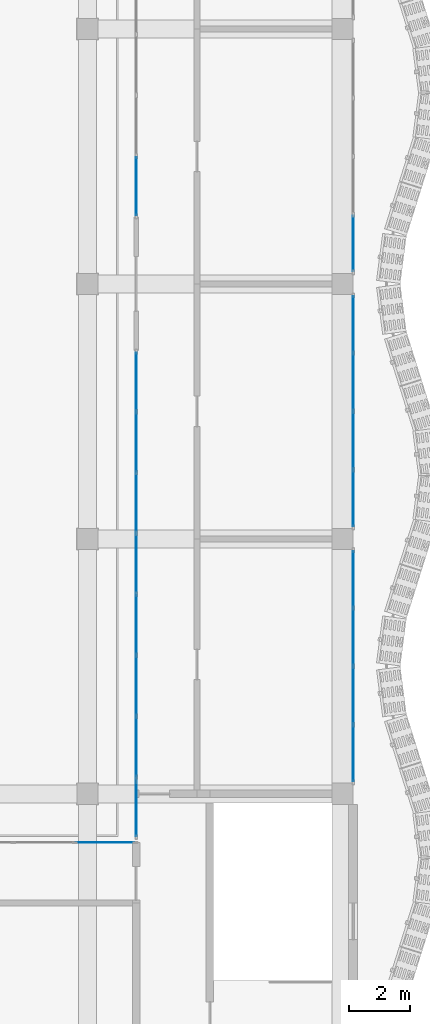
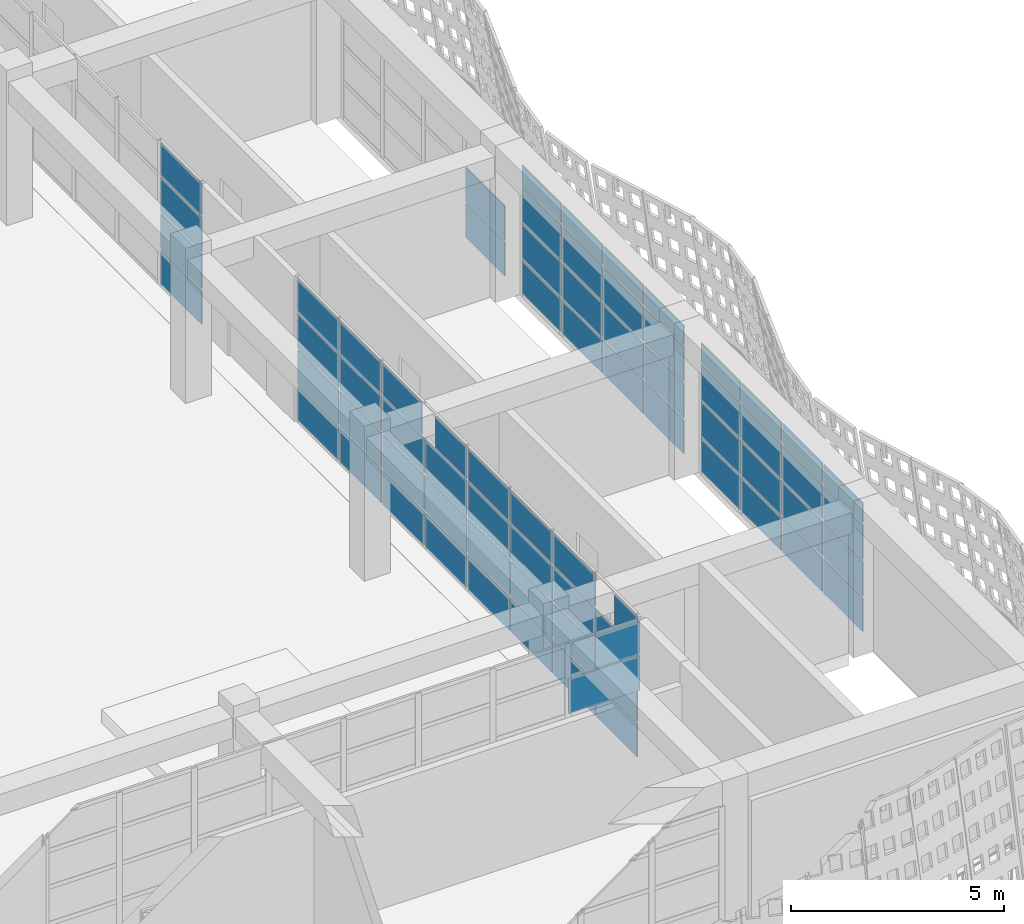
# One storey, part 30 of 85: 72 plates, 6 elements without a shape of their own.
"""IFC4 building model written with IfcOpenShell, lengths in metres."""

import ifcopenshell
import ifcopenshell.guid

model = None  # the IFC model being written
_history = None  # IfcOwnerHistory: only IFC2X3 demands one
_inside = {}  # id of a spatial element -> (the spatial element, [elements in it])
_under = {}  # id of a project, library or spatial element -> (it, [spatial elements below it])
_declared = {}  # id of a project -> (the project, [libraries it declares])
_typed = {}  # id of a type object -> (the type object, [elements of that type])
_made_of = {}  # id of a material, layer set ... -> (it, [elements and type objects made of it])


def new_model(schema):
    """Start an empty IFC model of exactly this schema.

    Asked for "IFC4X3", IfcOpenShell would pick the latest addendum, in which some entities
    have other attributes; the version numbers below select the first issue.
    IFC2X3 requires an IfcOwnerHistory on every rooted entity: one is made here for all.
    """
    global model, _history
    if schema == "IFC4X3":
        model = ifcopenshell.file(schema_version=(4, 3, 0, 0))
    else:
        model = ifcopenshell.file(schema=schema)
    _inside.clear()
    _under.clear()
    _declared.clear()
    _typed.clear()
    _made_of.clear()
    _history = None
    if model.schema == "IFC2X3":
        org = make("IfcOrganization", Name="unknown")
        user = make(
            "IfcPersonAndOrganization",
            ThePerson=make("IfcPerson", FamilyName="unknown"),
            TheOrganization=org,
        )
        app = make(
            "IfcApplication",
            ApplicationDeveloper=org,
            Version="unknown",
            ApplicationFullName="unknown",
            ApplicationIdentifier="unknown",
        )
        _history = make(
            "IfcOwnerHistory",
            OwningUser=user,
            OwningApplication=app,
            ChangeAction="ADDED",
            CreationDate=0,
        )
    return model


def make(cls, **values):
    """One entity of the class cls with the attributes given. An attribute that is None is left unset."""
    return model.create_entity(
        cls, **{name: value for name, value in values.items() if value is not None}
    )


def rooted(cls, **values):
    """An entity with a GlobalId (a new one), such as an element, a storey or a relation."""
    return make(cls, GlobalId=ifcopenshell.guid.new(), OwnerHistory=_history, **values)


def si_unit(unit_type, name, prefix=None):
    """IfcSIUnit, for example si_unit("LENGTHUNIT", "METRE", prefix="MILLI")."""
    return make("IfcSIUnit", UnitType=unit_type, Prefix=prefix, Name=name)


def assignment(units):
    """IfcUnitAssignment: the units of a project."""
    return None if units is None else make("IfcUnitAssignment", Units=units)


def point(xyz):
    """IfcCartesianPoint."""
    return None if xyz is None else make("IfcCartesianPoint", Coordinates=xyz)


def direction(xyz):
    """IfcDirection."""
    return None if xyz is None else make("IfcDirection", DirectionRatios=xyz)


def frame(location, z_axis=None, x_axis=None):
    """IfcAxis2Placement3D, a coordinate frame: its origin and axes. An axis left out is left unset."""
    return make(
        "IfcAxis2Placement3D",
        Location=point(location),
        Axis=direction(z_axis),
        RefDirection=direction(x_axis),
    )


def frame_2d(location, x_axis=None):
    """IfcAxis2Placement2D, a coordinate frame in the plane: its origin and x axis."""
    return make(
        "IfcAxis2Placement2D", Location=point(location), RefDirection=direction(x_axis)
    )


def origin():
    """The frame at (0, 0, 0) with its axes left unset."""
    return frame((0.0, 0.0, 0.0))


def origin_2d():
    """The frame at (0, 0) in the plane with its x axis left unset."""
    return frame_2d((0.0, 0.0))


def place(relative_to, where):
    """IfcLocalPlacement: puts the frame where relative to a parent placement (None: the world)."""
    return make(
        "IfcLocalPlacement", PlacementRelTo=relative_to, RelativePlacement=where
    )


def context(
    kind, dimensions, precision=None, world=None, true_north=None, identifier=None
):
    """IfcGeometricRepresentationContext, for example the 3D "Model" context."""
    return make(
        "IfcGeometricRepresentationContext",
        ContextIdentifier=identifier,
        ContextType=kind,
        CoordinateSpaceDimension=dimensions,
        Precision=precision,
        WorldCoordinateSystem=world,
        TrueNorth=true_north,
    )


def subcontext(parent, identifier, kind, view, scale=None):
    """IfcGeometricRepresentationSubContext, for example "Body" below "Model"."""
    return make(
        "IfcGeometricRepresentationSubContext",
        ContextIdentifier=identifier,
        ContextType=kind,
        ParentContext=parent,
        TargetScale=scale,
        TargetView=view,
    )


def project(units=None, contexts=None):
    """IfcProject with its units and contexts."""
    return rooted(
        "IfcProject",
        Name="project",
        RepresentationContexts=contexts,
        UnitsInContext=assignment(units),
    )


def spatial(cls, under=None, at=None, **own):
    """A site, building, storey or space (cls), placed at a placement, below another one or the project."""
    s = rooted(cls, ObjectPlacement=at, **own)
    if under is not None:
        _under.setdefault(under.id(), (under, []))[1].append(s)
    return s


def profile(cls, at=None, kind="AREA", **sizes):
    """A parametric profile (cls). Its sizes go by their IFC names, for example OverallWidth=200.0."""
    return make(cls, ProfileType=kind, Position=at, **sizes)


def rectangle(**sizes):
    """IfcRectangleProfileDef."""
    return profile("IfcRectangleProfileDef", **sizes)


def extrude(swept, where, along, depth):
    """IfcExtrudedAreaSolid: the profile swept, set in the frame where, extruded along a direction by depth."""
    return make(
        "IfcExtrudedAreaSolid",
        SweptArea=swept,
        Position=where,
        ExtrudedDirection=direction(along),
        Depth=depth,
    )


def shape(context_of_items, identifier, shape_type, items):
    """IfcShapeRepresentation: the items that make up one representation, for example the "Body"."""
    return make(
        "IfcShapeRepresentation",
        ContextOfItems=context_of_items,
        RepresentationIdentifier=identifier,
        RepresentationType=shape_type,
        Items=items,
    )


def material(Name=None, Category=None):
    """IfcMaterial."""
    return make("IfcMaterial", Name=Name, Category=Category)


def layer(
    of_material, thickness, ventilated=None, Name=None, Category=None, Priority=None
):
    """IfcMaterialLayer: one layer of a wall or slab, of a material (None: an air gap)."""
    return make(
        "IfcMaterialLayer",
        Material=of_material,
        LayerThickness=thickness,
        IsVentilated=ventilated,
        Name=Name,
        Category=Category,
        Priority=Priority,
    )


def layer_set(layers, Name=None):
    """IfcMaterialLayerSet."""
    return make("IfcMaterialLayerSet", MaterialLayers=layers, LayerSetName=Name)


def made_of(thing, what):
    """Note that an element or type object is made of a material, layer set ...; save() writes the relation."""
    if what is not None:
        _made_of.setdefault(what.id(), (what, []))[1].append(thing)
    return thing


def type_object(cls, material=None, **own):
    """A type object (cls), such as IfcWallType, which elements share."""
    return made_of(rooted(cls, **own), material)


def element(
    cls,
    number,
    at=None,
    inside=None,
    cuts=None,
    type_object=None,
    material=None,
    context=None,
    identifier="Body",
    shape_type=None,
    held_by="IfcProductDefinitionShape",
    body=None,
    shapes=None,
    **own,
):
    """One element of the class cls, such as IfcWall. Its Tag is "e" and its number.

    at: its placement. inside: the storey or other place that contains it. cuts: it is an
    opening in that element (IfcRelVoidsElement). A single representation is given by context,
    identifier, shape_type and body (its items); several are given by shapes. held_by: the class
    of the entity that holds the representations. save() writes the other relations.
    """
    e = rooted(cls, Tag="e%d" % number, ObjectPlacement=at, **own)
    if body is not None:
        shapes = [shape(context, identifier, shape_type, body)]
    if shapes is not None:
        e.Representation = make(held_by, Representations=shapes)
    if inside is not None:
        _inside.setdefault(inside.id(), (inside, []))[1].append(e)
    if cuts is not None:
        rooted(
            "IfcRelVoidsElement", RelatingBuildingElement=cuts, RelatedOpeningElement=e
        )
    if type_object is not None:
        _typed.setdefault(type_object.id(), (type_object, []))[1].append(e)
    return made_of(e, material)


def aggregate(whole, parts):
    """IfcRelAggregates: a whole, such as a stair, and the parts it consists of."""
    return rooted("IfcRelAggregates", RelatingObject=whole, RelatedObjects=parts)


def save(model, path):
    """Write the relations noted so far, then the file.

    IfcRelAggregates (storeys below a building ...), IfcRelContainedInSpatialStructure (elements
    in a storey), IfcRelDefinesByType, IfcRelAssociatesMaterial and IfcRelDeclares: one each for
    every whole, place, type object, material and project.
    """
    for whole, parts in _under.values():
        aggregate(whole, parts)
    for where, things in _inside.values():
        rooted(
            "IfcRelContainedInSpatialStructure",
            RelatedElements=things,
            RelatingStructure=where,
        )
    for kind, things in _typed.values():
        rooted("IfcRelDefinesByType", RelatedObjects=things, RelatingType=kind)
    for what, things in _made_of.values():
        rooted("IfcRelAssociatesMaterial", RelatedObjects=things, RelatingMaterial=what)
    for by, libraries in _declared.values():
        rooted("IfcRelDeclares", RelatingContext=by, RelatedDefinitions=libraries)
    model.write(path)


model = new_model("IFC4")

# Units and contexts
model_context = context("Model", 3, precision=1e-05, world=origin(), true_north=direction((0.0, 1.0)))
body_context = subcontext(model_context, "Body", "Model", "MODEL_VIEW")
ifc_project = project(units=[si_unit("LENGTHUNIT", "METRE"), si_unit("AREAUNIT", "SQUARE_METRE"), si_unit("VOLUMEUNIT", "CUBIC_METRE"), si_unit("PLANEANGLEUNIT", "RADIAN"), si_unit("MASSUNIT", "GRAM", prefix="KILO")], contexts=[model_context])

# Site, building, storey
site_placement = place(None, origin())
site = spatial("IfcSite", under=ifc_project, at=site_placement, CompositionType="ELEMENT")
building_placement = place(site_placement, origin())
building = spatial("IfcBuilding", under=site, at=building_placement, Name="Rain Tree Exposition and Congress Centre", CompositionType="ELEMENT")
storey_placement = place(building_placement, frame((0.0, 0.0, 15.0)))
storey = spatial("IfcBuildingStorey", under=building, at=storey_placement, Name="L03", CompositionType="ELEMENT", Elevation=15.0)

# Curtain wall, plates
ifc_material_1 = material(Name="Aluminium curtain wall", Category="aluminium")
curtain_wall_type = type_object("IfcCurtainWallType", Name="Wing curtain wall 1925", PredefinedType="NOTDEFINED", material=ifc_material_1)
curtain_wall_1_placement = place(storey_placement, origin())
curtain_wall_1 = element("IfcCurtainWall", 1, at=curtain_wall_1_placement, inside=storey, type_object=curtain_wall_type, Name="Curtain wall CWW412", PredefinedType="NOTDEFINED")
ifc_material_2 = material(Name="Double glazed unit", Category="glass")
ifc_layer = layer(ifc_material_2, 0.028076171875)
ifc_layer_set = layer_set([ifc_layer], Name="Double glazed unit")
plate_type = type_object("IfcPlateType", Name="Wing glazing panel 28", PredefinedType="CURTAIN_PANEL", material=ifc_layer_set)
plate_1_placement = place(storey_placement, frame((50.75, 9.7275390625, 0.06005859375), z_axis=(0.0, 0.0, 1.0), x_axis=(0.0, 1.0, 0.0)))
plate_1 = element("IfcPlate", 2, at=plate_1_placement, type_object=plate_type, Name="CWW412 panel 1.1", PredefinedType="CURTAIN_PANEL", context=body_context, shape_type="SweptSolid", body=[
    extrude(rectangle(XDim=1.8349609375, YDim=0.028076171875, at=origin_2d()), origin(), (0.0, 0.0, 1.0), 0.9599609375),
])
plate_2_placement = place(storey_placement, frame((50.75, 9.7275390625, 1.080078125), z_axis=(0.0, 0.0, 1.0), x_axis=(0.0, 1.0, 0.0)))
plate_2 = element("IfcPlate", 3, at=plate_2_placement, type_object=plate_type, Name="CWW412 panel 1.2", PredefinedType="CURTAIN_PANEL", context=body_context, shape_type="SweptSolid", body=[
    extrude(rectangle(XDim=1.8349609375, YDim=0.028076171875, at=origin_2d()), origin(), (0.0, 0.0, 1.0), 0.989990234375),
])
plate_3_placement = place(storey_placement, frame((50.75, 9.7275390625, 2.1298828125), z_axis=(0.0, 0.0, 1.0), x_axis=(0.0, 1.0, 0.0)))
plate_3 = element("IfcPlate", 4, at=plate_3_placement, type_object=plate_type, Name="CWW412 panel 1.3", PredefinedType="CURTAIN_PANEL", context=body_context, shape_type="SweptSolid", body=[
    extrude(rectangle(XDim=1.8349609375, YDim=0.028076171875, at=origin_2d()), origin(), (0.0, 0.0, 1.0), 0.989990234375),
])
plate_4_placement = place(storey_placement, frame((50.75, 9.7275390625, 3.179931640625), z_axis=(0.0, 0.0, 1.0), x_axis=(0.0, 1.0, 0.0)))
plate_4 = element("IfcPlate", 5, at=plate_4_placement, type_object=plate_type, Name="CWW412 panel 1.4", PredefinedType="CURTAIN_PANEL", context=body_context, shape_type="SweptSolid", body=[
    extrude(rectangle(XDim=1.8349609375, YDim=0.028076171875, at=origin_2d()), origin(), (0.0, 0.0, 1.0), 0.56005859375),
])
plate_5_placement = place(storey_placement, frame((50.75, 11.637451171875, 0.06005859375), z_axis=(0.0, 0.0, 1.0), x_axis=(0.0, 1.0, 0.0)))
plate_5 = element("IfcPlate", 6, at=plate_5_placement, type_object=plate_type, Name="CWW412 panel 2.1", PredefinedType="CURTAIN_PANEL", context=body_context, shape_type="SweptSolid", body=[
    extrude(rectangle(XDim=1.864990234375, YDim=0.028076171875, at=origin_2d()), origin(), (0.0, 0.0, 1.0), 0.9599609375),
])
plate_6_placement = place(storey_placement, frame((50.75, 11.637451171875, 1.080078125), z_axis=(0.0, 0.0, 1.0), x_axis=(0.0, 1.0, 0.0)))
plate_6 = element("IfcPlate", 7, at=plate_6_placement, type_object=plate_type, Name="CWW412 panel 2.2", PredefinedType="CURTAIN_PANEL", context=body_context, shape_type="SweptSolid", body=[
    extrude(rectangle(XDim=1.864990234375, YDim=0.028076171875, at=origin_2d()), origin(), (0.0, 0.0, 1.0), 0.989990234375),
])
plate_7_placement = place(storey_placement, frame((50.75, 11.637451171875, 2.1298828125), z_axis=(0.0, 0.0, 1.0), x_axis=(0.0, 1.0, 0.0)))
plate_7 = element("IfcPlate", 8, at=plate_7_placement, type_object=plate_type, Name="CWW412 panel 2.3", PredefinedType="CURTAIN_PANEL", context=body_context, shape_type="SweptSolid", body=[
    extrude(rectangle(XDim=1.864990234375, YDim=0.028076171875, at=origin_2d()), origin(), (0.0, 0.0, 1.0), 0.989990234375),
])
plate_8_placement = place(storey_placement, frame((50.75, 11.637451171875, 3.179931640625), z_axis=(0.0, 0.0, 1.0), x_axis=(0.0, 1.0, 0.0)))
plate_8 = element("IfcPlate", 9, at=plate_8_placement, type_object=plate_type, Name="CWW412 panel 2.4", PredefinedType="CURTAIN_PANEL", context=body_context, shape_type="SweptSolid", body=[
    extrude(rectangle(XDim=1.864990234375, YDim=0.028076171875, at=origin_2d()), origin(), (0.0, 0.0, 1.0), 0.56005859375),
])
plate_9_placement = place(storey_placement, frame((50.75, 13.5625, 0.06005859375), z_axis=(0.0, 0.0, 1.0), x_axis=(0.0, 1.0, 0.0)))
plate_9 = element("IfcPlate", 10, at=plate_9_placement, type_object=plate_type, Name="CWW412 panel 3.1", PredefinedType="CURTAIN_PANEL", context=body_context, shape_type="SweptSolid", body=[
    extrude(rectangle(XDim=1.864990234375, YDim=0.028076171875, at=origin_2d()), origin(), (0.0, 0.0, 1.0), 0.9599609375),
])
plate_10_placement = place(storey_placement, frame((50.75, 13.5625, 1.080078125), z_axis=(0.0, 0.0, 1.0), x_axis=(0.0, 1.0, 0.0)))
plate_10 = element("IfcPlate", 11, at=plate_10_placement, type_object=plate_type, Name="CWW412 panel 3.2", PredefinedType="CURTAIN_PANEL", context=body_context, shape_type="SweptSolid", body=[
    extrude(rectangle(XDim=1.864990234375, YDim=0.028076171875, at=origin_2d()), origin(), (0.0, 0.0, 1.0), 0.989990234375),
])
plate_11_placement = place(storey_placement, frame((50.75, 13.5625, 2.1298828125), z_axis=(0.0, 0.0, 1.0), x_axis=(0.0, 1.0, 0.0)))
plate_11 = element("IfcPlate", 12, at=plate_11_placement, type_object=plate_type, Name="CWW412 panel 3.3", PredefinedType="CURTAIN_PANEL", context=body_context, shape_type="SweptSolid", body=[
    extrude(rectangle(XDim=1.864990234375, YDim=0.028076171875, at=origin_2d()), origin(), (0.0, 0.0, 1.0), 0.989990234375),
])
plate_12_placement = place(storey_placement, frame((50.75, 13.5625, 3.179931640625), z_axis=(0.0, 0.0, 1.0), x_axis=(0.0, 1.0, 0.0)))
plate_12 = element("IfcPlate", 13, at=plate_12_placement, type_object=plate_type, Name="CWW412 panel 3.4", PredefinedType="CURTAIN_PANEL", context=body_context, shape_type="SweptSolid", body=[
    extrude(rectangle(XDim=1.864990234375, YDim=0.028076171875, at=origin_2d()), origin(), (0.0, 0.0, 1.0), 0.56005859375),
])
plate_13_placement = place(storey_placement, frame((50.75, 15.472412109375, 0.06005859375), z_axis=(0.0, 0.0, 1.0), x_axis=(0.0, 1.0, 0.0)))
plate_13 = element("IfcPlate", 14, at=plate_13_placement, type_object=plate_type, Name="CWW412 panel 4.1", PredefinedType="CURTAIN_PANEL", context=body_context, shape_type="SweptSolid", body=[
    extrude(rectangle(XDim=1.8349609375, YDim=0.028076171875, at=origin_2d()), origin(), (0.0, 0.0, 1.0), 0.9599609375),
])
plate_14_placement = place(storey_placement, frame((50.75, 15.472412109375, 1.080078125), z_axis=(0.0, 0.0, 1.0), x_axis=(0.0, 1.0, 0.0)))
plate_14 = element("IfcPlate", 15, at=plate_14_placement, type_object=plate_type, Name="CWW412 panel 4.2", PredefinedType="CURTAIN_PANEL", context=body_context, shape_type="SweptSolid", body=[
    extrude(rectangle(XDim=1.8349609375, YDim=0.028076171875, at=origin_2d()), origin(), (0.0, 0.0, 1.0), 0.989990234375),
])
plate_15_placement = place(storey_placement, frame((50.75, 15.472412109375, 2.1298828125), z_axis=(0.0, 0.0, 1.0), x_axis=(0.0, 1.0, 0.0)))
plate_15 = element("IfcPlate", 16, at=plate_15_placement, type_object=plate_type, Name="CWW412 panel 4.3", PredefinedType="CURTAIN_PANEL", context=body_context, shape_type="SweptSolid", body=[
    extrude(rectangle(XDim=1.8349609375, YDim=0.028076171875, at=origin_2d()), origin(), (0.0, 0.0, 1.0), 0.989990234375),
])
plate_16_placement = place(storey_placement, frame((50.75, 15.472412109375, 3.179931640625), z_axis=(0.0, 0.0, 1.0), x_axis=(0.0, 1.0, 0.0)))
plate_16 = element("IfcPlate", 17, at=plate_16_placement, type_object=plate_type, Name="CWW412 panel 4.4", PredefinedType="CURTAIN_PANEL", context=body_context, shape_type="SweptSolid", body=[
    extrude(rectangle(XDim=1.8349609375, YDim=0.028076171875, at=origin_2d()), origin(), (0.0, 0.0, 1.0), 0.56005859375),
])
aggregate(curtain_wall_1, [plate_1, plate_2, plate_3, plate_4, plate_5, plate_6, plate_7, plate_8, plate_9, plate_10, plate_11, plate_12, plate_13, plate_14, plate_15, plate_16])

curtain_wall_2_placement = place(storey_placement, origin())
curtain_wall_2 = element("IfcCurtainWall", 18, at=curtain_wall_2_placement, inside=storey, type_object=curtain_wall_type, Name="Curtain wall CWW413", PredefinedType="NOTDEFINED")
plate_17_placement = place(storey_placement, frame((50.75, 18.12744140625, 0.06005859375), z_axis=(0.0, 0.0, 1.0), x_axis=(0.0, 1.0, 0.0)))
plate_17 = element("IfcPlate", 19, at=plate_17_placement, type_object=plate_type, Name="CWW413 panel 1.1", PredefinedType="CURTAIN_PANEL", context=body_context, shape_type="SweptSolid", body=[
    extrude(rectangle(XDim=1.8349609375, YDim=0.028076171875, at=origin_2d()), origin(), (0.0, 0.0, 1.0), 0.9599609375),
])
plate_18_placement = place(storey_placement, frame((50.75, 18.12744140625, 1.080078125), z_axis=(0.0, 0.0, 1.0), x_axis=(0.0, 1.0, 0.0)))
plate_18 = element("IfcPlate", 20, at=plate_18_placement, type_object=plate_type, Name="CWW413 panel 1.2", PredefinedType="CURTAIN_PANEL", context=body_context, shape_type="SweptSolid", body=[
    extrude(rectangle(XDim=1.8349609375, YDim=0.028076171875, at=origin_2d()), origin(), (0.0, 0.0, 1.0), 0.989990234375),
])
plate_19_placement = place(storey_placement, frame((50.75, 18.12744140625, 2.1298828125), z_axis=(0.0, 0.0, 1.0), x_axis=(0.0, 1.0, 0.0)))
plate_19 = element("IfcPlate", 21, at=plate_19_placement, type_object=plate_type, Name="CWW413 panel 1.3", PredefinedType="CURTAIN_PANEL", context=body_context, shape_type="SweptSolid", body=[
    extrude(rectangle(XDim=1.8349609375, YDim=0.028076171875, at=origin_2d()), origin(), (0.0, 0.0, 1.0), 0.989990234375),
])
plate_20_placement = place(storey_placement, frame((50.75, 18.12744140625, 3.179931640625), z_axis=(0.0, 0.0, 1.0), x_axis=(0.0, 1.0, 0.0)))
plate_20 = element("IfcPlate", 22, at=plate_20_placement, type_object=plate_type, Name="CWW413 panel 1.4", PredefinedType="CURTAIN_PANEL", context=body_context, shape_type="SweptSolid", body=[
    extrude(rectangle(XDim=1.8349609375, YDim=0.028076171875, at=origin_2d()), origin(), (0.0, 0.0, 1.0), 0.56005859375),
])
plate_21_placement = place(storey_placement, frame((50.75, 20.03759765625, 0.06005859375), z_axis=(0.0, 0.0, 1.0), x_axis=(0.0, 1.0, 0.0)))
plate_21 = element("IfcPlate", 23, at=plate_21_placement, type_object=plate_type, Name="CWW413 panel 2.1", PredefinedType="CURTAIN_PANEL", context=body_context, shape_type="SweptSolid", body=[
    extrude(rectangle(XDim=1.864990234375, YDim=0.028076171875, at=origin_2d()), origin(), (0.0, 0.0, 1.0), 0.9599609375),
])
plate_22_placement = place(storey_placement, frame((50.75, 20.03759765625, 1.080078125), z_axis=(0.0, 0.0, 1.0), x_axis=(0.0, 1.0, 0.0)))
plate_22 = element("IfcPlate", 24, at=plate_22_placement, type_object=plate_type, Name="CWW413 panel 2.2", PredefinedType="CURTAIN_PANEL", context=body_context, shape_type="SweptSolid", body=[
    extrude(rectangle(XDim=1.864990234375, YDim=0.028076171875, at=origin_2d()), origin(), (0.0, 0.0, 1.0), 0.989990234375),
])
plate_23_placement = place(storey_placement, frame((50.75, 20.03759765625, 2.1298828125), z_axis=(0.0, 0.0, 1.0), x_axis=(0.0, 1.0, 0.0)))
plate_23 = element("IfcPlate", 25, at=plate_23_placement, type_object=plate_type, Name="CWW413 panel 2.3", PredefinedType="CURTAIN_PANEL", context=body_context, shape_type="SweptSolid", body=[
    extrude(rectangle(XDim=1.864990234375, YDim=0.028076171875, at=origin_2d()), origin(), (0.0, 0.0, 1.0), 0.989990234375),
])
plate_24_placement = place(storey_placement, frame((50.75, 20.03759765625, 3.179931640625), z_axis=(0.0, 0.0, 1.0), x_axis=(0.0, 1.0, 0.0)))
plate_24 = element("IfcPlate", 26, at=plate_24_placement, type_object=plate_type, Name="CWW413 panel 2.4", PredefinedType="CURTAIN_PANEL", context=body_context, shape_type="SweptSolid", body=[
    extrude(rectangle(XDim=1.864990234375, YDim=0.028076171875, at=origin_2d()), origin(), (0.0, 0.0, 1.0), 0.56005859375),
])
plate_25_placement = place(storey_placement, frame((50.75, 21.96240234375, 0.06005859375), z_axis=(0.0, 0.0, 1.0), x_axis=(0.0, 1.0, 0.0)))
plate_25 = element("IfcPlate", 27, at=plate_25_placement, type_object=plate_type, Name="CWW413 panel 3.1", PredefinedType="CURTAIN_PANEL", context=body_context, shape_type="SweptSolid", body=[
    extrude(rectangle(XDim=1.864990234375, YDim=0.028076171875, at=origin_2d()), origin(), (0.0, 0.0, 1.0), 0.9599609375),
])
plate_26_placement = place(storey_placement, frame((50.75, 21.96240234375, 1.080078125), z_axis=(0.0, 0.0, 1.0), x_axis=(0.0, 1.0, 0.0)))
plate_26 = element("IfcPlate", 28, at=plate_26_placement, type_object=plate_type, Name="CWW413 panel 3.2", PredefinedType="CURTAIN_PANEL", context=body_context, shape_type="SweptSolid", body=[
    extrude(rectangle(XDim=1.864990234375, YDim=0.028076171875, at=origin_2d()), origin(), (0.0, 0.0, 1.0), 0.989990234375),
])
plate_27_placement = place(storey_placement, frame((50.75, 21.96240234375, 2.1298828125), z_axis=(0.0, 0.0, 1.0), x_axis=(0.0, 1.0, 0.0)))
plate_27 = element("IfcPlate", 29, at=plate_27_placement, type_object=plate_type, Name="CWW413 panel 3.3", PredefinedType="CURTAIN_PANEL", context=body_context, shape_type="SweptSolid", body=[
    extrude(rectangle(XDim=1.864990234375, YDim=0.028076171875, at=origin_2d()), origin(), (0.0, 0.0, 1.0), 0.989990234375),
])
plate_28_placement = place(storey_placement, frame((50.75, 21.96240234375, 3.179931640625), z_axis=(0.0, 0.0, 1.0), x_axis=(0.0, 1.0, 0.0)))
plate_28 = element("IfcPlate", 30, at=plate_28_placement, type_object=plate_type, Name="CWW413 panel 3.4", PredefinedType="CURTAIN_PANEL", context=body_context, shape_type="SweptSolid", body=[
    extrude(rectangle(XDim=1.864990234375, YDim=0.028076171875, at=origin_2d()), origin(), (0.0, 0.0, 1.0), 0.56005859375),
])
plate_29_placement = place(storey_placement, frame((50.75, 23.87255859375, 0.06005859375), z_axis=(0.0, 0.0, 1.0), x_axis=(0.0, 1.0, 0.0)))
plate_29 = element("IfcPlate", 31, at=plate_29_placement, type_object=plate_type, Name="CWW413 panel 4.1", PredefinedType="CURTAIN_PANEL", context=body_context, shape_type="SweptSolid", body=[
    extrude(rectangle(XDim=1.8349609375, YDim=0.028076171875, at=origin_2d()), origin(), (0.0, 0.0, 1.0), 0.9599609375),
])
plate_30_placement = place(storey_placement, frame((50.75, 23.87255859375, 1.080078125), z_axis=(0.0, 0.0, 1.0), x_axis=(0.0, 1.0, 0.0)))
plate_30 = element("IfcPlate", 32, at=plate_30_placement, type_object=plate_type, Name="CWW413 panel 4.2", PredefinedType="CURTAIN_PANEL", context=body_context, shape_type="SweptSolid", body=[
    extrude(rectangle(XDim=1.8349609375, YDim=0.028076171875, at=origin_2d()), origin(), (0.0, 0.0, 1.0), 0.989990234375),
])
plate_31_placement = place(storey_placement, frame((50.75, 23.87255859375, 2.1298828125), z_axis=(0.0, 0.0, 1.0), x_axis=(0.0, 1.0, 0.0)))
plate_31 = element("IfcPlate", 33, at=plate_31_placement, type_object=plate_type, Name="CWW413 panel 4.3", PredefinedType="CURTAIN_PANEL", context=body_context, shape_type="SweptSolid", body=[
    extrude(rectangle(XDim=1.8349609375, YDim=0.028076171875, at=origin_2d()), origin(), (0.0, 0.0, 1.0), 0.989990234375),
])
plate_32_placement = place(storey_placement, frame((50.75, 23.87255859375, 3.179931640625), z_axis=(0.0, 0.0, 1.0), x_axis=(0.0, 1.0, 0.0)))
plate_32 = element("IfcPlate", 34, at=plate_32_placement, type_object=plate_type, Name="CWW413 panel 4.4", PredefinedType="CURTAIN_PANEL", context=body_context, shape_type="SweptSolid", body=[
    extrude(rectangle(XDim=1.8349609375, YDim=0.028076171875, at=origin_2d()), origin(), (0.0, 0.0, 1.0), 0.56005859375),
])
aggregate(curtain_wall_2, [plate_17, plate_18, plate_19, plate_20, plate_21, plate_22, plate_23, plate_24, plate_25, plate_26, plate_27, plate_28, plate_29, plate_30, plate_31, plate_32])

curtain_wall_3_placement = place(storey_placement, origin())
curtain_wall_3 = element("IfcCurtainWall", 35, at=curtain_wall_3_placement, inside=storey, type_object=curtain_wall_type, Name="Curtain wall CWW414", PredefinedType="NOTDEFINED")
plate_33_placement = place(storey_placement, frame((50.75, 26.527587890625, 0.06005859375), z_axis=(0.0, 0.0, 1.0), x_axis=(0.0, 1.0, 0.0)))
plate_33 = element("IfcPlate", 36, at=plate_33_placement, type_object=plate_type, Name="CWW414 panel 1.1", PredefinedType="CURTAIN_PANEL", context=body_context, shape_type="SweptSolid", body=[
    extrude(rectangle(XDim=1.8349609375, YDim=0.028076171875, at=origin_2d()), origin(), (0.0, 0.0, 1.0), 0.9599609375),
])
plate_34_placement = place(storey_placement, frame((50.75, 26.527587890625, 1.080078125), z_axis=(0.0, 0.0, 1.0), x_axis=(0.0, 1.0, 0.0)))
plate_34 = element("IfcPlate", 37, at=plate_34_placement, type_object=plate_type, Name="CWW414 panel 1.2", PredefinedType="CURTAIN_PANEL", context=body_context, shape_type="SweptSolid", body=[
    extrude(rectangle(XDim=1.8349609375, YDim=0.028076171875, at=origin_2d()), origin(), (0.0, 0.0, 1.0), 0.989990234375),
])
aggregate(curtain_wall_3, [plate_33, plate_34])

curtain_wall_4_placement = place(storey_placement, origin())
curtain_wall_4 = element("IfcCurtainWall", 38, at=curtain_wall_4_placement, inside=storey, type_object=curtain_wall_type, Name="Curtain wall CWW502", PredefinedType="NOTDEFINED")
plate_35_placement = place(storey_placement, frame((42.572509765625, 6.800048828125, 2.1298828125), z_axis=(0.0, 0.0, 1.0), x_axis=(1.0, 0.0, 0.0)))
plate_35 = element("IfcPlate", 39, at=plate_35_placement, type_object=plate_type, Name="CWW502 panel 8.3", PredefinedType="CURTAIN_PANEL", context=body_context, shape_type="SweptSolid", body=[
    extrude(rectangle(XDim=1.93505859375, YDim=0.028076171875, at=origin_2d()), origin(), (0.0, 0.0, 1.0), 0.989990234375),
])
plate_36_placement = place(storey_placement, frame((42.93505859375, 6.800048828125, 3.18017578125), z_axis=(0.0, 0.0, 1.0), x_axis=(1.0, 0.0, 0.0)))
plate_36 = element("IfcPlate", 40, at=plate_36_placement, type_object=plate_type, Name="CWW502 panel 8.4", PredefinedType="CURTAIN_PANEL", context=body_context, shape_type="SweptSolid", body=[
    extrude(rectangle(XDim=1.2099609375, YDim=0.028076171875, at=origin_2d()), origin(), (0.0, 0.0, 1.0), 0.909912109375),
])
aggregate(curtain_wall_4, [plate_35, plate_36])

curtain_wall_5_placement = place(storey_placement, origin())
curtain_wall_5 = element("IfcCurtainWall", 41, at=curtain_wall_5_placement, inside=storey, type_object=curtain_wall_type, Name="Curtain wall CWW507", PredefinedType="NOTDEFINED")
plate_37_placement = place(storey_placement, frame((43.60009765625, 7.968017578125, 0.06005859375), z_axis=(0.0, 0.0, 1.0), x_axis=(0.0, 1.0, 0.0)))
plate_37 = element("IfcPlate", 42, at=plate_37_placement, type_object=plate_type, Name="CWW507 panel 1.1", PredefinedType="CURTAIN_PANEL", context=body_context, shape_type="SweptSolid", body=[
    extrude(rectangle(XDim=1.916259765625, YDim=0.028076171875, at=origin_2d()), origin(), (0.0, 0.0, 1.0), 0.9599609375),
])
plate_38_placement = place(storey_placement, frame((43.60009765625, 7.968017578125, 1.080078125), z_axis=(0.0, 0.0, 1.0), x_axis=(0.0, 1.0, 0.0)))
plate_38 = element("IfcPlate", 43, at=plate_38_placement, type_object=plate_type, Name="CWW507 panel 1.2", PredefinedType="CURTAIN_PANEL", context=body_context, shape_type="SweptSolid", body=[
    extrude(rectangle(XDim=1.916259765625, YDim=0.028076171875, at=origin_2d()), origin(), (0.0, 0.0, 1.0), 0.989990234375),
])
plate_39_placement = place(storey_placement, frame((43.60009765625, 7.968017578125, 2.1298828125), z_axis=(0.0, 0.0, 1.0), x_axis=(0.0, 1.0, 0.0)))
plate_39 = element("IfcPlate", 44, at=plate_39_placement, type_object=plate_type, Name="CWW507 panel 1.3", PredefinedType="CURTAIN_PANEL", context=body_context, shape_type="SweptSolid", body=[
    extrude(rectangle(XDim=1.916259765625, YDim=0.028076171875, at=origin_2d()), origin(), (0.0, 0.0, 1.0), 0.989990234375),
])
plate_40_placement = place(storey_placement, frame((43.60009765625, 7.5400390625, 3.18017578125), z_axis=(0.0, 0.0, 1.0), x_axis=(0.0, 1.0, 0.0)))
plate_40 = element("IfcPlate", 45, at=plate_40_placement, type_object=plate_type, Name="CWW507 panel 1.4", PredefinedType="CURTAIN_PANEL", context=body_context, shape_type="SweptSolid", body=[
    extrude(rectangle(XDim=1.06005859375, YDim=0.028076171875, at=origin_2d()), origin(), (0.0, 0.0, 1.0), 0.909912109375),
])
plate_41_placement = place(storey_placement, frame((43.60009765625, 9.95947265625, 0.06005859375), z_axis=(0.0, 0.0, 1.0), x_axis=(0.0, 1.0, 0.0)))
plate_41 = element("IfcPlate", 46, at=plate_41_placement, type_object=plate_type, Name="CWW507 panel 2.1", PredefinedType="CURTAIN_PANEL", context=body_context, shape_type="SweptSolid", body=[
    extrude(rectangle(XDim=1.9462890625, YDim=0.028076171875, at=origin_2d()), origin(), (0.0, 0.0, 1.0), 0.9599609375),
])
plate_42_placement = place(storey_placement, frame((43.60009765625, 9.95947265625, 1.080078125), z_axis=(0.0, 0.0, 1.0), x_axis=(0.0, 1.0, 0.0)))
plate_42 = element("IfcPlate", 47, at=plate_42_placement, type_object=plate_type, Name="CWW507 panel 2.2", PredefinedType="CURTAIN_PANEL", context=body_context, shape_type="SweptSolid", body=[
    extrude(rectangle(XDim=1.9462890625, YDim=0.028076171875, at=origin_2d()), origin(), (0.0, 0.0, 1.0), 0.989990234375),
])
plate_43_placement = place(storey_placement, frame((43.60009765625, 9.95947265625, 2.1298828125), z_axis=(0.0, 0.0, 1.0), x_axis=(0.0, 1.0, 0.0)))
plate_43 = element("IfcPlate", 48, at=plate_43_placement, type_object=plate_type, Name="CWW507 panel 2.3", PredefinedType="CURTAIN_PANEL", context=body_context, shape_type="SweptSolid", body=[
    extrude(rectangle(XDim=1.9462890625, YDim=0.028076171875, at=origin_2d()), origin(), (0.0, 0.0, 1.0), 0.989990234375),
])
plate_44_placement = place(storey_placement, frame((43.60009765625, 9.95947265625, 3.18017578125), z_axis=(0.0, 0.0, 1.0), x_axis=(0.0, 1.0, 0.0)))
plate_44 = element("IfcPlate", 49, at=plate_44_placement, type_object=plate_type, Name="CWW507 panel 2.4", PredefinedType="CURTAIN_PANEL", context=body_context, shape_type="SweptSolid", body=[
    extrude(rectangle(XDim=1.9462890625, YDim=0.028076171875, at=origin_2d()), origin(), (0.0, 0.0, 1.0), 0.909912109375),
])
plate_45_placement = place(storey_placement, frame((43.60009765625, 11.965576171875, 0.06005859375), z_axis=(0.0, 0.0, 1.0), x_axis=(0.0, 1.0, 0.0)))
plate_45 = element("IfcPlate", 50, at=plate_45_placement, type_object=plate_type, Name="CWW507 panel 3.1", PredefinedType="CURTAIN_PANEL", context=body_context, shape_type="SweptSolid", body=[
    extrude(rectangle(XDim=1.9462890625, YDim=0.028076171875, at=origin_2d()), origin(), (0.0, 0.0, 1.0), 0.9599609375),
])
plate_46_placement = place(storey_placement, frame((43.60009765625, 11.965576171875, 1.080078125), z_axis=(0.0, 0.0, 1.0), x_axis=(0.0, 1.0, 0.0)))
plate_46 = element("IfcPlate", 51, at=plate_46_placement, type_object=plate_type, Name="CWW507 panel 3.2", PredefinedType="CURTAIN_PANEL", context=body_context, shape_type="SweptSolid", body=[
    extrude(rectangle(XDim=1.9462890625, YDim=0.028076171875, at=origin_2d()), origin(), (0.0, 0.0, 1.0), 0.989990234375),
])
plate_47_placement = place(storey_placement, frame((43.60009765625, 11.965576171875, 2.1298828125), z_axis=(0.0, 0.0, 1.0), x_axis=(0.0, 1.0, 0.0)))
plate_47 = element("IfcPlate", 52, at=plate_47_placement, type_object=plate_type, Name="CWW507 panel 3.3", PredefinedType="CURTAIN_PANEL", context=body_context, shape_type="SweptSolid", body=[
    extrude(rectangle(XDim=1.9462890625, YDim=0.028076171875, at=origin_2d()), origin(), (0.0, 0.0, 1.0), 0.989990234375),
])
plate_48_placement = place(storey_placement, frame((43.60009765625, 11.965576171875, 3.18017578125), z_axis=(0.0, 0.0, 1.0), x_axis=(0.0, 1.0, 0.0)))
plate_48 = element("IfcPlate", 53, at=plate_48_placement, type_object=plate_type, Name="CWW507 panel 3.4", PredefinedType="CURTAIN_PANEL", context=body_context, shape_type="SweptSolid", body=[
    extrude(rectangle(XDim=1.9462890625, YDim=0.028076171875, at=origin_2d()), origin(), (0.0, 0.0, 1.0), 0.909912109375),
])
plate_49_placement = place(storey_placement, frame((43.60009765625, 13.971923828125, 0.06005859375), z_axis=(0.0, 0.0, 1.0), x_axis=(0.0, 1.0, 0.0)))
plate_49 = element("IfcPlate", 54, at=plate_49_placement, type_object=plate_type, Name="CWW507 panel 4.1", PredefinedType="CURTAIN_PANEL", context=body_context, shape_type="SweptSolid", body=[
    extrude(rectangle(XDim=1.9462890625, YDim=0.028076171875, at=origin_2d()), origin(), (0.0, 0.0, 1.0), 0.9599609375),
])
plate_50_placement = place(storey_placement, frame((43.60009765625, 13.971923828125, 1.080078125), z_axis=(0.0, 0.0, 1.0), x_axis=(0.0, 1.0, 0.0)))
plate_50 = element("IfcPlate", 55, at=plate_50_placement, type_object=plate_type, Name="CWW507 panel 4.2", PredefinedType="CURTAIN_PANEL", context=body_context, shape_type="SweptSolid", body=[
    extrude(rectangle(XDim=1.9462890625, YDim=0.028076171875, at=origin_2d()), origin(), (0.0, 0.0, 1.0), 0.989990234375),
])
plate_51_placement = place(storey_placement, frame((43.60009765625, 13.971923828125, 2.1298828125), z_axis=(0.0, 0.0, 1.0), x_axis=(0.0, 1.0, 0.0)))
plate_51 = element("IfcPlate", 56, at=plate_51_placement, type_object=plate_type, Name="CWW507 panel 4.3", PredefinedType="CURTAIN_PANEL", context=body_context, shape_type="SweptSolid", body=[
    extrude(rectangle(XDim=1.9462890625, YDim=0.028076171875, at=origin_2d()), origin(), (0.0, 0.0, 1.0), 0.989990234375),
])
plate_52_placement = place(storey_placement, frame((43.60009765625, 13.971923828125, 3.18017578125), z_axis=(0.0, 0.0, 1.0), x_axis=(0.0, 1.0, 0.0)))
plate_52 = element("IfcPlate", 57, at=plate_52_placement, type_object=plate_type, Name="CWW507 panel 4.4", PredefinedType="CURTAIN_PANEL", context=body_context, shape_type="SweptSolid", body=[
    extrude(rectangle(XDim=1.9462890625, YDim=0.028076171875, at=origin_2d()), origin(), (0.0, 0.0, 1.0), 0.909912109375),
])
plate_53_placement = place(storey_placement, frame((43.60009765625, 15.97802734375, 0.06005859375), z_axis=(0.0, 0.0, 1.0), x_axis=(0.0, 1.0, 0.0)))
plate_53 = element("IfcPlate", 58, at=plate_53_placement, type_object=plate_type, Name="CWW507 panel 5.1", PredefinedType="CURTAIN_PANEL", context=body_context, shape_type="SweptSolid", body=[
    extrude(rectangle(XDim=1.9462890625, YDim=0.028076171875, at=origin_2d()), origin(), (0.0, 0.0, 1.0), 0.9599609375),
])
plate_54_placement = place(storey_placement, frame((43.60009765625, 15.97802734375, 1.080078125), z_axis=(0.0, 0.0, 1.0), x_axis=(0.0, 1.0, 0.0)))
plate_54 = element("IfcPlate", 59, at=plate_54_placement, type_object=plate_type, Name="CWW507 panel 5.2", PredefinedType="CURTAIN_PANEL", context=body_context, shape_type="SweptSolid", body=[
    extrude(rectangle(XDim=1.9462890625, YDim=0.028076171875, at=origin_2d()), origin(), (0.0, 0.0, 1.0), 0.989990234375),
])
plate_55_placement = place(storey_placement, frame((43.60009765625, 15.97802734375, 2.1298828125), z_axis=(0.0, 0.0, 1.0), x_axis=(0.0, 1.0, 0.0)))
plate_55 = element("IfcPlate", 60, at=plate_55_placement, type_object=plate_type, Name="CWW507 panel 5.3", PredefinedType="CURTAIN_PANEL", context=body_context, shape_type="SweptSolid", body=[
    extrude(rectangle(XDim=1.9462890625, YDim=0.028076171875, at=origin_2d()), origin(), (0.0, 0.0, 1.0), 0.989990234375),
])
plate_56_placement = place(storey_placement, frame((43.60009765625, 15.737548828125, 3.18017578125), z_axis=(0.0, 0.0, 1.0), x_axis=(0.0, 1.0, 0.0)))
plate_56 = element("IfcPlate", 61, at=plate_56_placement, type_object=plate_type, Name="CWW507 panel 5.4", PredefinedType="CURTAIN_PANEL", context=body_context, shape_type="SweptSolid", body=[
    extrude(rectangle(XDim=1.465087890625, YDim=0.028076171875, at=origin_2d()), origin(), (0.0, 0.0, 1.0), 0.909912109375),
])
plate_57_placement = place(storey_placement, frame((43.60009765625, 17.984375, 0.06005859375), z_axis=(0.0, 0.0, 1.0), x_axis=(0.0, 1.0, 0.0)))
plate_57 = element("IfcPlate", 62, at=plate_57_placement, type_object=plate_type, Name="CWW507 panel 6.1", PredefinedType="CURTAIN_PANEL", context=body_context, shape_type="SweptSolid", body=[
    extrude(rectangle(XDim=1.9462890625, YDim=0.028076171875, at=origin_2d()), origin(), (0.0, 0.0, 1.0), 0.9599609375),
])
plate_58_placement = place(storey_placement, frame((43.60009765625, 17.984375, 1.080078125), z_axis=(0.0, 0.0, 1.0), x_axis=(0.0, 1.0, 0.0)))
plate_58 = element("IfcPlate", 63, at=plate_58_placement, type_object=plate_type, Name="CWW507 panel 6.2", PredefinedType="CURTAIN_PANEL", context=body_context, shape_type="SweptSolid", body=[
    extrude(rectangle(XDim=1.9462890625, YDim=0.028076171875, at=origin_2d()), origin(), (0.0, 0.0, 1.0), 0.989990234375),
])
plate_59_placement = place(storey_placement, frame((43.60009765625, 17.984375, 2.1298828125), z_axis=(0.0, 0.0, 1.0), x_axis=(0.0, 1.0, 0.0)))
plate_59 = element("IfcPlate", 64, at=plate_59_placement, type_object=plate_type, Name="CWW507 panel 6.3", PredefinedType="CURTAIN_PANEL", context=body_context, shape_type="SweptSolid", body=[
    extrude(rectangle(XDim=1.9462890625, YDim=0.028076171875, at=origin_2d()), origin(), (0.0, 0.0, 1.0), 0.989990234375),
])
plate_60_placement = place(storey_placement, frame((43.60009765625, 18.043701171875, 3.18017578125), z_axis=(0.0, 0.0, 1.0), x_axis=(0.0, 1.0, 0.0)))
plate_60 = element("IfcPlate", 65, at=plate_60_placement, type_object=plate_type, Name="CWW507 panel 6.4", PredefinedType="CURTAIN_PANEL", context=body_context, shape_type="SweptSolid", body=[
    extrude(rectangle(XDim=1.827392578125, YDim=0.028076171875, at=origin_2d()), origin(), (0.0, 0.0, 1.0), 0.909912109375),
])
plate_61_placement = place(storey_placement, frame((43.60009765625, 19.99072265625, 0.06005859375), z_axis=(0.0, 0.0, 1.0), x_axis=(0.0, 1.0, 0.0)))
plate_61 = element("IfcPlate", 66, at=plate_61_placement, type_object=plate_type, Name="CWW507 panel 7.1", PredefinedType="CURTAIN_PANEL", context=body_context, shape_type="SweptSolid", body=[
    extrude(rectangle(XDim=1.9462890625, YDim=0.028076171875, at=origin_2d()), origin(), (0.0, 0.0, 1.0), 0.9599609375),
])
plate_62_placement = place(storey_placement, frame((43.60009765625, 19.99072265625, 1.080078125), z_axis=(0.0, 0.0, 1.0), x_axis=(0.0, 1.0, 0.0)))
plate_62 = element("IfcPlate", 67, at=plate_62_placement, type_object=plate_type, Name="CWW507 panel 7.2", PredefinedType="CURTAIN_PANEL", context=body_context, shape_type="SweptSolid", body=[
    extrude(rectangle(XDim=1.9462890625, YDim=0.028076171875, at=origin_2d()), origin(), (0.0, 0.0, 1.0), 0.989990234375),
])
plate_63_placement = place(storey_placement, frame((43.60009765625, 19.99072265625, 2.1298828125), z_axis=(0.0, 0.0, 1.0), x_axis=(0.0, 1.0, 0.0)))
plate_63 = element("IfcPlate", 68, at=plate_63_placement, type_object=plate_type, Name="CWW507 panel 7.3", PredefinedType="CURTAIN_PANEL", context=body_context, shape_type="SweptSolid", body=[
    extrude(rectangle(XDim=1.9462890625, YDim=0.028076171875, at=origin_2d()), origin(), (0.0, 0.0, 1.0), 0.989990234375),
])
plate_64_placement = place(storey_placement, frame((43.60009765625, 19.99072265625, 3.18017578125), z_axis=(0.0, 0.0, 1.0), x_axis=(0.0, 1.0, 0.0)))
plate_64 = element("IfcPlate", 69, at=plate_64_placement, type_object=plate_type, Name="CWW507 panel 7.4", PredefinedType="CURTAIN_PANEL", context=body_context, shape_type="SweptSolid", body=[
    extrude(rectangle(XDim=1.9462890625, YDim=0.028076171875, at=origin_2d()), origin(), (0.0, 0.0, 1.0), 0.909912109375),
])
plate_65_placement = place(storey_placement, frame((43.60009765625, 21.98193359375, 0.06005859375), z_axis=(0.0, 0.0, 1.0), x_axis=(0.0, 1.0, 0.0)))
plate_65 = element("IfcPlate", 70, at=plate_65_placement, type_object=plate_type, Name="CWW507 panel 8.1", PredefinedType="CURTAIN_PANEL", context=body_context, shape_type="SweptSolid", body=[
    extrude(rectangle(XDim=1.916259765625, YDim=0.028076171875, at=origin_2d()), origin(), (0.0, 0.0, 1.0), 0.9599609375),
])
plate_66_placement = place(storey_placement, frame((43.60009765625, 21.98193359375, 1.080078125), z_axis=(0.0, 0.0, 1.0), x_axis=(0.0, 1.0, 0.0)))
plate_66 = element("IfcPlate", 71, at=plate_66_placement, type_object=plate_type, Name="CWW507 panel 8.2", PredefinedType="CURTAIN_PANEL", context=body_context, shape_type="SweptSolid", body=[
    extrude(rectangle(XDim=1.916259765625, YDim=0.028076171875, at=origin_2d()), origin(), (0.0, 0.0, 1.0), 0.989990234375),
])
plate_67_placement = place(storey_placement, frame((43.60009765625, 21.98193359375, 2.1298828125), z_axis=(0.0, 0.0, 1.0), x_axis=(0.0, 1.0, 0.0)))
plate_67 = element("IfcPlate", 72, at=plate_67_placement, type_object=plate_type, Name="CWW507 panel 8.3", PredefinedType="CURTAIN_PANEL", context=body_context, shape_type="SweptSolid", body=[
    extrude(rectangle(XDim=1.916259765625, YDim=0.028076171875, at=origin_2d()), origin(), (0.0, 0.0, 1.0), 0.989990234375),
])
plate_68_placement = place(storey_placement, frame((43.60009765625, 21.98193359375, 3.18017578125), z_axis=(0.0, 0.0, 1.0), x_axis=(0.0, 1.0, 0.0)))
plate_68 = element("IfcPlate", 73, at=plate_68_placement, type_object=plate_type, Name="CWW507 panel 8.4", PredefinedType="CURTAIN_PANEL", context=body_context, shape_type="SweptSolid", body=[
    extrude(rectangle(XDim=1.916259765625, YDim=0.028076171875, at=origin_2d()), origin(), (0.0, 0.0, 1.0), 0.909912109375),
])
aggregate(curtain_wall_5, [plate_37, plate_38, plate_39, plate_40, plate_41, plate_42, plate_43, plate_44, plate_45, plate_46, plate_47, plate_48, plate_49, plate_50, plate_51, plate_52, plate_53, plate_54, plate_55, plate_56, plate_57, plate_58, plate_59, plate_60, plate_61, plate_62, plate_63, plate_64, plate_65, plate_66, plate_67, plate_68])

curtain_wall_6_placement = place(storey_placement, origin())
curtain_wall_6 = element("IfcCurtainWall", 74, at=curtain_wall_6_placement, inside=storey, type_object=curtain_wall_type, Name="Curtain wall CWW508", PredefinedType="NOTDEFINED")
plate_69_placement = place(storey_placement, frame((43.60009765625, 28.418212890625, 0.06005859375), z_axis=(0.0, 0.0, 1.0), x_axis=(0.0, 1.0, 0.0)))
plate_69 = element("IfcPlate", 75, at=plate_69_placement, type_object=plate_type, Name="CWW508 panel 1.1", PredefinedType="CURTAIN_PANEL", context=body_context, shape_type="SweptSolid", body=[
    extrude(rectangle(XDim=1.916259765625, YDim=0.028076171875, at=origin_2d()), origin(), (0.0, 0.0, 1.0), 0.9599609375),
])
plate_70_placement = place(storey_placement, frame((43.60009765625, 28.418212890625, 1.080078125), z_axis=(0.0, 0.0, 1.0), x_axis=(0.0, 1.0, 0.0)))
plate_70 = element("IfcPlate", 76, at=plate_70_placement, type_object=plate_type, Name="CWW508 panel 1.2", PredefinedType="CURTAIN_PANEL", context=body_context, shape_type="SweptSolid", body=[
    extrude(rectangle(XDim=1.916259765625, YDim=0.028076171875, at=origin_2d()), origin(), (0.0, 0.0, 1.0), 0.989990234375),
])
plate_71_placement = place(storey_placement, frame((43.60009765625, 28.418212890625, 2.1298828125), z_axis=(0.0, 0.0, 1.0), x_axis=(0.0, 1.0, 0.0)))
plate_71 = element("IfcPlate", 77, at=plate_71_placement, type_object=plate_type, Name="CWW508 panel 1.3", PredefinedType="CURTAIN_PANEL", context=body_context, shape_type="SweptSolid", body=[
    extrude(rectangle(XDim=1.916259765625, YDim=0.028076171875, at=origin_2d()), origin(), (0.0, 0.0, 1.0), 0.989990234375),
])
plate_72_placement = place(storey_placement, frame((43.60009765625, 28.418212890625, 3.18017578125), z_axis=(0.0, 0.0, 1.0), x_axis=(0.0, 1.0, 0.0)))
plate_72 = element("IfcPlate", 78, at=plate_72_placement, type_object=plate_type, Name="CWW508 panel 1.4", PredefinedType="CURTAIN_PANEL", context=body_context, shape_type="SweptSolid", body=[
    extrude(rectangle(XDim=1.916259765625, YDim=0.028076171875, at=origin_2d()), origin(), (0.0, 0.0, 1.0), 0.909912109375),
])
aggregate(curtain_wall_6, [plate_69, plate_70, plate_71, plate_72])

save(model, "model.ifc")
